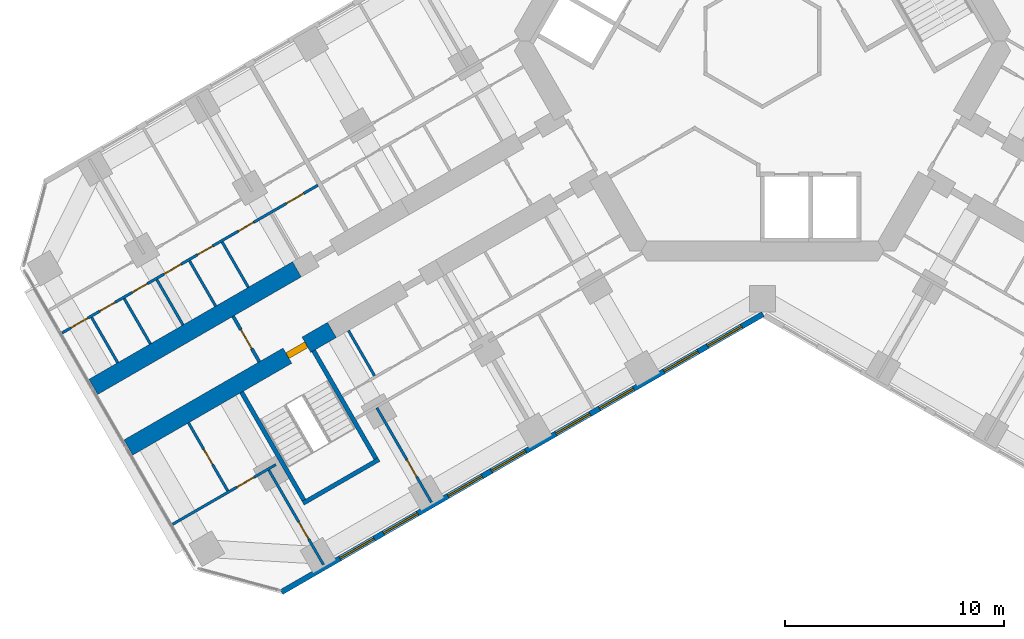
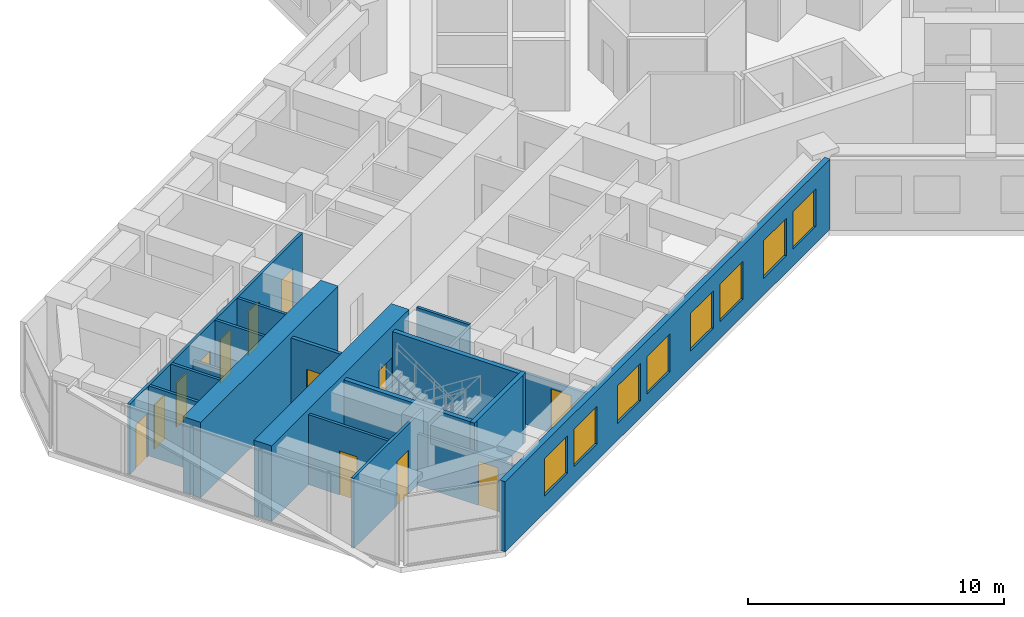
# One storey, part 10 of 20: 18 walls, 13 doors, 8 windows, 21 openings.
"""IFC4 building model written with IfcOpenShell, lengths in metres."""

import ifcopenshell
import ifcopenshell.guid

model = None  # the IFC model being written
_history = None  # IfcOwnerHistory: only IFC2X3 demands one
_inside = {}  # id of a spatial element -> (the spatial element, [elements in it])
_under = {}  # id of a project, library or spatial element -> (it, [spatial elements below it])
_declared = {}  # id of a project -> (the project, [libraries it declares])
_typed = {}  # id of a type object -> (the type object, [elements of that type])
_made_of = {}  # id of a material, layer set ... -> (it, [elements and type objects made of it])


def new_model(schema):
    """Start an empty IFC model of exactly this schema.

    Asked for "IFC4X3", IfcOpenShell would pick the latest addendum, in which some entities
    have other attributes; the version numbers below select the first issue.
    IFC2X3 requires an IfcOwnerHistory on every rooted entity: one is made here for all.
    """
    global model, _history
    if schema == "IFC4X3":
        model = ifcopenshell.file(schema_version=(4, 3, 0, 0))
    else:
        model = ifcopenshell.file(schema=schema)
    _inside.clear()
    _under.clear()
    _declared.clear()
    _typed.clear()
    _made_of.clear()
    _history = None
    if model.schema == "IFC2X3":
        org = make("IfcOrganization", Name="unknown")
        user = make(
            "IfcPersonAndOrganization",
            ThePerson=make("IfcPerson", FamilyName="unknown"),
            TheOrganization=org,
        )
        app = make(
            "IfcApplication",
            ApplicationDeveloper=org,
            Version="unknown",
            ApplicationFullName="unknown",
            ApplicationIdentifier="unknown",
        )
        _history = make(
            "IfcOwnerHistory",
            OwningUser=user,
            OwningApplication=app,
            ChangeAction="ADDED",
            CreationDate=0,
        )
    return model


def make(cls, **values):
    """One entity of the class cls with the attributes given. An attribute that is None is left unset."""
    return model.create_entity(
        cls, **{name: value for name, value in values.items() if value is not None}
    )


def rooted(cls, **values):
    """An entity with a GlobalId (a new one), such as an element, a storey or a relation."""
    return make(cls, GlobalId=ifcopenshell.guid.new(), OwnerHistory=_history, **values)


def si_unit(unit_type, name, prefix=None):
    """IfcSIUnit, for example si_unit("LENGTHUNIT", "METRE", prefix="MILLI")."""
    return make("IfcSIUnit", UnitType=unit_type, Prefix=prefix, Name=name)


def assignment(units):
    """IfcUnitAssignment: the units of a project."""
    return None if units is None else make("IfcUnitAssignment", Units=units)


def point(xyz):
    """IfcCartesianPoint."""
    return None if xyz is None else make("IfcCartesianPoint", Coordinates=xyz)


def direction(xyz):
    """IfcDirection."""
    return None if xyz is None else make("IfcDirection", DirectionRatios=xyz)


def frame(location, z_axis=None, x_axis=None):
    """IfcAxis2Placement3D, a coordinate frame: its origin and axes. An axis left out is left unset."""
    return make(
        "IfcAxis2Placement3D",
        Location=point(location),
        Axis=direction(z_axis),
        RefDirection=direction(x_axis),
    )


def frame_2d(location, x_axis=None):
    """IfcAxis2Placement2D, a coordinate frame in the plane: its origin and x axis."""
    return make(
        "IfcAxis2Placement2D", Location=point(location), RefDirection=direction(x_axis)
    )


def origin():
    """The frame at (0, 0, 0) with its axes left unset."""
    return frame((0.0, 0.0, 0.0))


def place(relative_to, where):
    """IfcLocalPlacement: puts the frame where relative to a parent placement (None: the world)."""
    return make(
        "IfcLocalPlacement", PlacementRelTo=relative_to, RelativePlacement=where
    )


def context(
    kind, dimensions, precision=None, world=None, true_north=None, identifier=None
):
    """IfcGeometricRepresentationContext, for example the 3D "Model" context."""
    return make(
        "IfcGeometricRepresentationContext",
        ContextIdentifier=identifier,
        ContextType=kind,
        CoordinateSpaceDimension=dimensions,
        Precision=precision,
        WorldCoordinateSystem=world,
        TrueNorth=true_north,
    )


def subcontext(parent, identifier, kind, view, scale=None):
    """IfcGeometricRepresentationSubContext, for example "Body" below "Model"."""
    return make(
        "IfcGeometricRepresentationSubContext",
        ContextIdentifier=identifier,
        ContextType=kind,
        ParentContext=parent,
        TargetScale=scale,
        TargetView=view,
    )


def project(units=None, contexts=None):
    """IfcProject with its units and contexts."""
    return rooted(
        "IfcProject",
        Name="project",
        RepresentationContexts=contexts,
        UnitsInContext=assignment(units),
    )


def spatial(cls, under=None, at=None, **own):
    """A site, building, storey or space (cls), placed at a placement, below another one or the project."""
    s = rooted(cls, ObjectPlacement=at, **own)
    if under is not None:
        _under.setdefault(under.id(), (under, []))[1].append(s)
    return s


def profile(cls, at=None, kind="AREA", **sizes):
    """A parametric profile (cls). Its sizes go by their IFC names, for example OverallWidth=200.0."""
    return make(cls, ProfileType=kind, Position=at, **sizes)


def rectangle(**sizes):
    """IfcRectangleProfileDef."""
    return profile("IfcRectangleProfileDef", **sizes)


def extrude(swept, where, along, depth):
    """IfcExtrudedAreaSolid: the profile swept, set in the frame where, extruded along a direction by depth."""
    return make(
        "IfcExtrudedAreaSolid",
        SweptArea=swept,
        Position=where,
        ExtrudedDirection=direction(along),
        Depth=depth,
    )


def shape(context_of_items, identifier, shape_type, items):
    """IfcShapeRepresentation: the items that make up one representation, for example the "Body"."""
    return make(
        "IfcShapeRepresentation",
        ContextOfItems=context_of_items,
        RepresentationIdentifier=identifier,
        RepresentationType=shape_type,
        Items=items,
    )


def material(Name=None, Category=None):
    """IfcMaterial."""
    return make("IfcMaterial", Name=Name, Category=Category)


def layer(
    of_material, thickness, ventilated=None, Name=None, Category=None, Priority=None
):
    """IfcMaterialLayer: one layer of a wall or slab, of a material (None: an air gap)."""
    return make(
        "IfcMaterialLayer",
        Material=of_material,
        LayerThickness=thickness,
        IsVentilated=ventilated,
        Name=Name,
        Category=Category,
        Priority=Priority,
    )


def layer_set(layers, Name=None):
    """IfcMaterialLayerSet."""
    return make("IfcMaterialLayerSet", MaterialLayers=layers, LayerSetName=Name)


def made_of(thing, what):
    """Note that an element or type object is made of a material, layer set ...; save() writes the relation."""
    if what is not None:
        _made_of.setdefault(what.id(), (what, []))[1].append(thing)
    return thing


def type_object(cls, material=None, **own):
    """A type object (cls), such as IfcWallType, which elements share."""
    return made_of(rooted(cls, **own), material)


def element(
    cls,
    number,
    at=None,
    inside=None,
    cuts=None,
    type_object=None,
    material=None,
    context=None,
    identifier="Body",
    shape_type=None,
    held_by="IfcProductDefinitionShape",
    body=None,
    shapes=None,
    **own,
):
    """One element of the class cls, such as IfcWall. Its Tag is "e" and its number.

    at: its placement. inside: the storey or other place that contains it. cuts: it is an
    opening in that element (IfcRelVoidsElement). A single representation is given by context,
    identifier, shape_type and body (its items); several are given by shapes. held_by: the class
    of the entity that holds the representations. save() writes the other relations.
    """
    e = rooted(cls, Tag="e%d" % number, ObjectPlacement=at, **own)
    if body is not None:
        shapes = [shape(context, identifier, shape_type, body)]
    if shapes is not None:
        e.Representation = make(held_by, Representations=shapes)
    if inside is not None:
        _inside.setdefault(inside.id(), (inside, []))[1].append(e)
    if cuts is not None:
        rooted(
            "IfcRelVoidsElement", RelatingBuildingElement=cuts, RelatedOpeningElement=e
        )
    if type_object is not None:
        _typed.setdefault(type_object.id(), (type_object, []))[1].append(e)
    return made_of(e, material)


def fill(opening, filler):
    """IfcRelFillsElement: the door or window that sits in an opening."""
    return rooted(
        "IfcRelFillsElement",
        RelatingOpeningElement=opening,
        RelatedBuildingElement=filler,
    )


def aggregate(whole, parts):
    """IfcRelAggregates: a whole, such as a stair, and the parts it consists of."""
    return rooted("IfcRelAggregates", RelatingObject=whole, RelatedObjects=parts)


def save(model, path):
    """Write the relations noted so far, then the file.

    IfcRelAggregates (storeys below a building ...), IfcRelContainedInSpatialStructure (elements
    in a storey), IfcRelDefinesByType, IfcRelAssociatesMaterial and IfcRelDeclares: one each for
    every whole, place, type object, material and project.
    """
    for whole, parts in _under.values():
        aggregate(whole, parts)
    for where, things in _inside.values():
        rooted(
            "IfcRelContainedInSpatialStructure",
            RelatedElements=things,
            RelatingStructure=where,
        )
    for kind, things in _typed.values():
        rooted("IfcRelDefinesByType", RelatedObjects=things, RelatingType=kind)
    for what, things in _made_of.values():
        rooted("IfcRelAssociatesMaterial", RelatedObjects=things, RelatingMaterial=what)
    for by, libraries in _declared.values():
        rooted("IfcRelDeclares", RelatingContext=by, RelatedDefinitions=libraries)
    model.write(path)


model = new_model("IFC4")

# Units and contexts
model_context = context("Model", 3, precision=1e-05, world=origin(), true_north=direction((0.0, 1.0)))
body_context = subcontext(model_context, "Body", "Model", "MODEL_VIEW")
ifc_project = project(units=[si_unit("LENGTHUNIT", "METRE"), si_unit("AREAUNIT", "SQUARE_METRE"), si_unit("VOLUMEUNIT", "CUBIC_METRE"), si_unit("PLANEANGLEUNIT", "RADIAN"), si_unit("MASSUNIT", "GRAM", prefix="KILO")], contexts=[model_context])

# Site, building, storey
site_placement = place(None, origin())
site = spatial("IfcSite", under=ifc_project, at=site_placement, CompositionType="ELEMENT")
building_placement = place(site_placement, origin())
building = spatial("IfcBuilding", under=site, at=building_placement, Name="Kosmar Iwan School Tower", CompositionType="ELEMENT")
storey_placement = place(building_placement, frame((0.0, 0.0, 127.39990234375)))
storey = spatial("IfcBuildingStorey", under=building, at=storey_placement, Name="L31", CompositionType="ELEMENT", Elevation=127.39990234375)

# Wall, opening, door
ifc_material_1 = material(Name="Concrete C50/60", Category="concrete")
ifc_layer_1 = layer(ifc_material_1, 0.800048828125)
ifc_layer_set_1 = layer_set([ifc_layer_1], Name="Corridor buttress wall 800")
wall_type_1 = type_object("IfcWallType", Name="Corridor buttress wall 800", PredefinedType="SHEAR", material=ifc_layer_set_1)
wall_1_placement = place(storey_placement, frame((-19.681396484375, -13.210693359375, 0.0), z_axis=(0.0, 0.0, 1.0), x_axis=(-0.866028186671, -0.499995179869, 0.0)))
wall_1 = element("IfcWall", 1, at=wall_1_placement, inside=storey, type_object=wall_type_1, Name="Corridor wall BL bay 3", PredefinedType="SHEAR", context=body_context, shape_type="SweptSolid", body=[
    extrude(rectangle(XDim=10.7451171875, YDim=0.800048828125, at=frame_2d((5.37255859375, 0.0))), origin(), (0.0, 0.0, 1.0), 3.60009765625),
])
opening_1_placement = place(wall_1_placement, frame((1.35009765625, 0.0, 0.0)))
opening_1 = element("IfcOpeningElement", 2, at=opening_1_placement, cuts=wall_1, Name="Opening D6", PredefinedType="OPENING", context=body_context, shape_type="SweptSolid", body=[
    extrude(rectangle(XDim=1.0, YDim=2.10009765625, at=frame_2d((0.5, 1.050048828125))), frame((0.0, 0.412109375, 0.0), z_axis=(0.0, -1.0, 0.0), x_axis=(1.0, 0.0, 0.0)), (0.0, 0.0, 1.0), 0.823974609375),
])
ifc_material_2 = material(Name="Steel fire door", Category="steel")
door_type_1 = type_object("IfcDoorType", Name="Stair door 1000x2100", OperationType="SINGLE_SWING_LEFT", PredefinedType="DOOR", material=ifc_material_2)
door_1_placement = place(opening_1_placement, origin())
door_1 = element("IfcDoor", 3, at=door_1_placement, inside=storey, type_object=door_type_1, Name="Stair WS2 door L31", OperationType="SINGLE_SWING_LEFT", OverallHeight=2.10009765625, OverallWidth=1.0, PredefinedType="DOOR", context=body_context, shape_type="SweptSolid", body=[
    extrude(rectangle(XDim=1.0, YDim=2.10009765625, at=frame_2d((0.5, 1.050048828125))), frame((0.0, 0.14990234375, 0.0), z_axis=(0.0, -1.0, 0.0), x_axis=(1.0, 0.0, 0.0)), (0.0, 0.0, 1.0), 0.300048828125),
])
fill(opening_1, door_1)

# Wall
wall_2_placement = place(storey_placement, frame((-21.281494140625, -10.439453125, 0.0), z_axis=(0.0, 0.0, 1.0), x_axis=(-0.866032345022, -0.499987977232, 0.0)))
element("IfcWall", 4, at=wall_2_placement, inside=storey, type_object=wall_type_1, Name="Corridor wall BR bay 3", PredefinedType="SHEAR", context=body_context, shape_type="SweptSolid", body=[
    extrude(rectangle(XDim=10.744873046875, YDim=0.800048828125, at=frame_2d((5.37255859375, 0.0))), origin(), (0.0, 0.0, 1.0), 3.60009765625),
])

# Wall, opening, door
ifc_material_3 = material(Name="Gypsum board on steel studs, fire-rated", Category="steel")
ifc_layer_2 = layer(ifc_material_3, 0.14990234375)
ifc_layer_set_2 = layer_set([ifc_layer_2], Name="Corridor end wall 150")
wall_type_2 = type_object("IfcWallType", Name="Corridor end wall 150", PredefinedType="PARTITIONING", material=ifc_layer_set_2)
wall_3_placement = place(storey_placement, frame((-24.19921875, -12.585693359375, 0.0), z_axis=(0.0, 0.0, 1.0), x_axis=(0.499957262057, -0.866050077142, 0.0)))
wall_3 = element("IfcWall", 5, at=wall_3_placement, inside=storey, type_object=wall_type_2, Name="Partition L31-B-CE", PredefinedType="PARTITIONING", context=body_context, shape_type="SweptSolid", body=[
    extrude(rectangle(XDim=2.400146484375, YDim=0.14990234375, at=frame_2d((1.2001953125, 0.0))), origin(), (0.0, 0.0, 1.0), 3.35009765625),
])
opening_2_placement = place(wall_3_placement, frame((0.699951171875, 0.0, 0.0)))
opening_2 = element("IfcOpeningElement", 6, at=opening_2_placement, cuts=wall_3, Name="Opening D13", PredefinedType="OPENING", context=body_context, shape_type="SweptSolid", body=[
    extrude(rectangle(XDim=1.0, YDim=2.10009765625, at=frame_2d((0.5, 1.050048828125))), frame((0.0, 0.0869140625, 0.0), z_axis=(0.0, -1.0, 0.0), x_axis=(1.0, 0.0, 0.0)), (0.0, 0.0, 1.0), 0.173828125),
])
ifc_material_4 = material(Name="Timber fire door with vision panel", Category="wood")
door_type_2 = type_object("IfcDoorType", Name="Corridor end door 1000x2100", OperationType="SINGLE_SWING_LEFT", PredefinedType="DOOR", material=ifc_material_4)
door_2_placement = place(opening_2_placement, origin())
door_2 = element("IfcDoor", 7, at=door_2_placement, inside=storey, type_object=door_type_2, Name="Laundry and drying room door L31-B", OperationType="SINGLE_SWING_LEFT", OverallHeight=2.10009765625, OverallWidth=1.0, PredefinedType="DOOR", context=body_context, shape_type="SweptSolid", body=[
    extrude(rectangle(XDim=1.0, YDim=2.10009765625, at=frame_2d((0.5, 1.050048828125))), frame((0.0, 0.02490234375, 0.0), z_axis=(0.0, -1.0, 0.0), x_axis=(1.0, 0.0, 0.0)), (0.0, 0.0, 1.0), 0.050048828125),
])
fill(opening_2, door_2)

# Wall
ifc_material_5 = material(Name="Gypsum board on steel studs", Category="steel")
ifc_layer_3 = layer(ifc_material_5, 0.1201171875)
ifc_layer_set_3 = layer_set([ifc_layer_3], Name="Dwelling partition 120")
wall_type_3 = type_object("IfcWallType", Name="Dwelling partition 120", PredefinedType="PARTITIONING", material=ifc_layer_set_3)
wall_4_placement = place(storey_placement, frame((-18.92724609375, -13.237060546875, 0.0), z_axis=(0.0, 0.0, 1.0), x_axis=(0.500017192868, -0.86601547725, 0.0)))
element("IfcWall", 8, at=wall_4_placement, inside=storey, type_object=wall_type_3, Name="Partition L31-BL2-Y2", PredefinedType="PARTITIONING", context=body_context, shape_type="SweptSolid", body=[
    extrude(rectangle(XDim=2.39013671875, YDim=0.1201171875, at=frame_2d((1.195068359375, 0.0))), origin(), (0.0, 0.0, 1.0), 3.35009765625),
])

# Wall, opening, door
wall_5_placement = place(storey_placement, frame((-17.62646484375, -16.77001953125, 0.0), z_axis=(0.0, 0.0, 1.0), x_axis=(0.499975153383, -0.86603974851, 0.0)))
wall_5 = element("IfcWall", 9, at=wall_5_placement, inside=storey, type_object=wall_type_3, Name="Partition L31-BL2-TB", PredefinedType="PARTITIONING", context=body_context, shape_type="SweptSolid", body=[
    extrude(rectangle(XDim=4.989990234375, YDim=0.1201171875, at=frame_2d((2.4951171875, 0.0))), origin(), (0.0, 0.0, 1.0), 2.4501953125),
])
opening_3_placement = place(wall_5_placement, frame((2.739990234375, 0.0, 0.0)))
opening_3 = element("IfcOpeningElement", 10, at=opening_3_placement, cuts=wall_5, Name="Opening D2", PredefinedType="OPENING", context=body_context, shape_type="SweptSolid", body=[
    extrude(rectangle(XDim=0.89990234375, YDim=2.10009765625, at=frame_2d((0.449951171875, 1.050048828125))), frame((0.0, 0.072021484375, 0.0), z_axis=(0.0, -1.0, 0.0), x_axis=(1.0, 0.0, 0.0)), (0.0, 0.0, 1.0), 0.14404296875),
])
ifc_material_6 = material(Name="Timber door in timber frame", Category="wood")
door_type_3 = type_object("IfcDoorType", Name="Internal door 900x2100", OperationType="SINGLE_SWING_LEFT", PredefinedType="DOOR", material=ifc_material_6)
door_3_placement = place(opening_3_placement, origin())
door_3 = element("IfcDoor", 11, at=door_3_placement, inside=storey, type_object=door_type_3, Name="Study door L31-BL2-F1", OperationType="SINGLE_SWING_RIGHT", OverallHeight=2.10009765625, OverallWidth=0.89990234375, PredefinedType="DOOR", context=body_context, shape_type="SweptSolid", body=[
    extrude(rectangle(XDim=0.89990234375, YDim=2.10009765625, at=frame_2d((0.449951171875, 1.050048828125))), frame((0.0, 0.02490234375, 0.0), z_axis=(0.0, -1.0, 0.0), x_axis=(1.0, 0.0, 0.0)), (0.0, 0.0, 1.0), 0.050048828125),
])
fill(opening_3, door_3)

wall_6_placement = place(storey_placement, frame((-22.562744140625, -19.6201171875, 0.0), z_axis=(0.0, 0.0, 1.0), x_axis=(0.499996339024, -0.86602751744, 0.0)))
wall_6 = element("IfcWall", 12, at=wall_6_placement, inside=storey, type_object=wall_type_3, Name="Partition L31-BL2-TX", PredefinedType="PARTITIONING", context=body_context, shape_type="SweptSolid", body=[
    extrude(rectangle(XDim=4.98974609375, YDim=0.1201171875, at=frame_2d((2.494873046875, 0.0))), origin(), (0.0, 0.0, 1.0), 2.4501953125),
])
opening_4_placement = place(wall_6_placement, frame((2.739990234375, 0.0, 0.0)))
opening_4 = element("IfcOpeningElement", 13, at=opening_4_placement, cuts=wall_6, Name="Opening D2", PredefinedType="OPENING", context=body_context, shape_type="SweptSolid", body=[
    extrude(rectangle(XDim=0.89990234375, YDim=2.10009765625, at=frame_2d((0.449951171875, 1.050048828125))), frame((0.0, 0.072021484375, 0.0), z_axis=(0.0, -1.0, 0.0), x_axis=(1.0, 0.0, 0.0)), (0.0, 0.0, 1.0), 0.14404296875),
])
door_4_placement = place(opening_4_placement, origin())
door_4 = element("IfcDoor", 14, at=door_4_placement, inside=storey, type_object=door_type_3, Name="Study door L31-BL2-T1", OperationType="SINGLE_SWING_RIGHT", OverallHeight=2.10009765625, OverallWidth=0.89990234375, PredefinedType="DOOR", context=body_context, shape_type="SweptSolid", body=[
    extrude(rectangle(XDim=0.89990234375, YDim=2.10009765625, at=frame_2d((0.449951171875, 1.050048828125))), frame((0.0, 0.02490234375, 0.0), z_axis=(0.0, -1.0, 0.0), x_axis=(1.0, 0.0, 0.0)), (0.0, 0.0, 1.0), 0.050048828125),
])
fill(opening_4, door_4)

wall_7_placement = place(storey_placement, frame((-22.246337890625, -19.3681640625, 0.0), z_axis=(0.0, 0.0, 1.0), x_axis=(-0.866035508231, -0.499982498177, 0.0)))
wall_7 = element("IfcWall", 15, at=wall_7_placement, inside=storey, type_object=wall_type_3, Name="Partition L31-BL2-TW", PredefinedType="PARTITIONING", context=body_context, shape_type="SweptSolid", body=[
    extrude(rectangle(XDim=5.445068359375, YDim=0.1201171875, at=frame_2d((2.72265625, 0.0))), origin(), (0.0, 0.0, 1.0), 3.35009765625),
])
opening_5_placement = place(wall_7_placement, frame((1.14990234375, 0.0, 0.0)))
opening_5 = element("IfcOpeningElement", 16, at=opening_5_placement, cuts=wall_7, Name="Opening D2", PredefinedType="OPENING", context=body_context, shape_type="SweptSolid", body=[
    extrude(rectangle(XDim=0.89990234375, YDim=2.10009765625, at=frame_2d((0.449951171875, 1.050048828125))), frame((0.0, 0.072021484375, 0.0), z_axis=(0.0, -1.0, 0.0), x_axis=(1.0, 0.0, 0.0)), (0.0, 0.0, 1.0), 0.14404296875),
])
door_5_placement = place(opening_5_placement, origin())
door_5 = element("IfcDoor", 17, at=door_5_placement, inside=storey, type_object=door_type_3, Name="Dressing room door L31-BL2-T3", OperationType="SINGLE_SWING_LEFT", OverallHeight=2.10009765625, OverallWidth=0.89990234375, PredefinedType="DOOR", context=body_context, shape_type="SweptSolid", body=[
    extrude(rectangle(XDim=0.89990234375, YDim=2.10009765625, at=frame_2d((0.449951171875, 1.050048828125))), frame((0.0, 0.02490234375, 0.0), z_axis=(0.0, -1.0, 0.0), x_axis=(1.0, 0.0, 0.0)), (0.0, 0.0, 1.0), 0.050048828125),
])
fill(opening_5, door_5)

wall_8_placement = place(storey_placement, frame((-26.236572265625, -17.45703125, 0.0), z_axis=(0.0, 0.0, 1.0), x_axis=(0.50002266109, -0.866012320003, 0.0)))
wall_8 = element("IfcWall", 18, at=wall_8_placement, inside=storey, type_object=wall_type_3, Name="Partition L31-BL2-TY", PredefinedType="PARTITIONING", context=body_context, shape_type="SweptSolid", body=[
    extrude(rectangle(XDim=3.590087890625, YDim=0.1201171875, at=frame_2d((1.794921875, 0.0))), origin(), (0.0, 0.0, 1.0), 3.35009765625),
])
opening_6_placement = place(wall_8_placement, frame((1.39501953125, 0.0, 0.0)))
opening_6 = element("IfcOpeningElement", 19, at=opening_6_placement, cuts=wall_8, Name="Opening D3", PredefinedType="OPENING", context=body_context, shape_type="SweptSolid", body=[
    extrude(rectangle(XDim=0.800048828125, YDim=2.10009765625, at=frame_2d((0.39990234375, 1.050048828125))), frame((0.0, 0.072021484375, 0.0), z_axis=(0.0, -1.0, 0.0), x_axis=(1.0, 0.0, 0.0)), (0.0, 0.0, 1.0), 0.14404296875),
])
ifc_material_7 = material(Name="Timber door in timber frame", Category="wood")
door_type_4 = type_object("IfcDoorType", Name="Sanitary room door 800x2100", OperationType="SINGLE_SWING_LEFT", PredefinedType="DOOR", material=ifc_material_7)
door_6_placement = place(opening_6_placement, origin())
door_6 = element("IfcDoor", 20, at=door_6_placement, inside=storey, type_object=door_type_4, Name="Shower room door L31-BL2-T4", OperationType="SINGLE_SWING_RIGHT", OverallHeight=2.10009765625, OverallWidth=0.800048828125, PredefinedType="DOOR", context=body_context, shape_type="SweptSolid", body=[
    extrude(rectangle(XDim=0.800048828125, YDim=2.10009765625, at=frame_2d((0.39990234375, 1.050048828125))), frame((0.0, 0.02490234375, 0.0), z_axis=(0.0, -1.0, 0.0), x_axis=(1.0, 0.0, 0.0)), (0.0, 0.0, 1.0), 0.050048828125),
])
fill(opening_6, door_6)

# Wall, openings, doors
wall_9_placement = place(storey_placement, frame((-20.324951171875, -6.59619140625, 0.0), z_axis=(0.0, 0.0, 1.0), x_axis=(-0.866023503214, -0.50000329187, 0.0)))
wall_9 = element("IfcWall", 21, at=wall_9_placement, inside=storey, type_object=wall_type_3, Name="Partition L31-BR2-W1", PredefinedType="PARTITIONING", context=body_context, shape_type="SweptSolid", body=[
    extrude(rectangle(XDim=13.4951171875, YDim=0.1201171875, at=frame_2d((6.74755859375, 0.0))), origin(), (0.0, 0.0, 1.0), 3.35009765625),
])
opening_7_placement = place(wall_9_placement, frame((0.75, 0.0, 0.0)))
opening_7 = element("IfcOpeningElement", 22, at=opening_7_placement, cuts=wall_9, Name="Opening D2", PredefinedType="OPENING", context=body_context, shape_type="SweptSolid", body=[
    extrude(rectangle(XDim=0.89990234375, YDim=2.10009765625, at=frame_2d((0.449951171875, 1.050048828125))), frame((0.0, 0.072021484375, 0.0), z_axis=(0.0, -1.0, 0.0), x_axis=(1.0, 0.0, 0.0)), (0.0, 0.0, 1.0), 0.14404296875),
])
opening_8_placement = place(wall_9_placement, frame((3.392333984375, 0.0, 0.0)))
opening_8 = element("IfcOpeningElement", 23, at=opening_8_placement, cuts=wall_9, Name="Opening D3", PredefinedType="OPENING", context=body_context, shape_type="SweptSolid", body=[
    extrude(rectangle(XDim=0.800048828125, YDim=2.10009765625, at=frame_2d((0.39990234375, 1.050048828125))), frame((0.0, 0.072021484375, 0.0), z_axis=(0.0, -1.0, 0.0), x_axis=(1.0, 0.0, 0.0)), (0.0, 0.0, 1.0), 0.14404296875),
])
opening_9_placement = place(wall_9_placement, frame((5.546142578125, 0.0, 0.0)))
opening_9 = element("IfcOpeningElement", 24, at=opening_9_placement, cuts=wall_9, Name="Opening D3", PredefinedType="OPENING", context=body_context, shape_type="SweptSolid", body=[
    extrude(rectangle(XDim=0.800048828125, YDim=2.10009765625, at=frame_2d((0.39990234375, 1.050048828125))), frame((0.0, 0.072021484375, 0.0), z_axis=(0.0, -1.0, 0.0), x_axis=(1.0, 0.0, 0.0)), (0.0, 0.0, 1.0), 0.14404296875),
])
opening_10_placement = place(wall_9_placement, frame((7.21923828125, 0.0, 0.0)))
opening_10 = element("IfcOpeningElement", 25, at=opening_10_placement, cuts=wall_9, Name="Opening D2", PredefinedType="OPENING", context=body_context, shape_type="SweptSolid", body=[
    extrude(rectangle(XDim=0.89990234375, YDim=2.10009765625, at=frame_2d((0.449951171875, 1.050048828125))), frame((0.0, 0.072021484375, 0.0), z_axis=(0.0, -1.0, 0.0), x_axis=(1.0, 0.0, 0.0)), (0.0, 0.0, 1.0), 0.14404296875),
])
opening_11_placement = place(wall_9_placement, frame((8.992431640625, 0.0, 0.0)))
opening_11 = element("IfcOpeningElement", 26, at=opening_11_placement, cuts=wall_9, Name="Opening D3", PredefinedType="OPENING", context=body_context, shape_type="SweptSolid", body=[
    extrude(rectangle(XDim=0.800048828125, YDim=2.10009765625, at=frame_2d((0.39990234375, 1.050048828125))), frame((0.0, 0.072021484375, 0.0), z_axis=(0.0, -1.0, 0.0), x_axis=(1.0, 0.0, 0.0)), (0.0, 0.0, 1.0), 0.14404296875),
])
opening_12_placement = place(wall_9_placement, frame((10.71533203125, 0.0, 0.0)))
opening_12 = element("IfcOpeningElement", 27, at=opening_12_placement, cuts=wall_9, Name="Opening D3", PredefinedType="OPENING", context=body_context, shape_type="SweptSolid", body=[
    extrude(rectangle(XDim=0.800048828125, YDim=2.10009765625, at=frame_2d((0.39990234375, 1.050048828125))), frame((0.0, 0.072021484375, 0.0), z_axis=(0.0, -1.0, 0.0), x_axis=(1.0, 0.0, 0.0)), (0.0, 0.0, 1.0), 0.14404296875),
])
opening_13_placement = place(wall_9_placement, frame((12.136962890625, 0.0, 0.0)))
opening_13 = element("IfcOpeningElement", 28, at=opening_13_placement, cuts=wall_9, Name="Opening D2", PredefinedType="OPENING", context=body_context, shape_type="SweptSolid", body=[
    extrude(rectangle(XDim=0.89990234375, YDim=2.10009765625, at=frame_2d((0.449951171875, 1.050048828125))), frame((0.0, 0.072021484375, 0.0), z_axis=(0.0, -1.0, 0.0), x_axis=(1.0, 0.0, 0.0)), (0.0, 0.0, 1.0), 0.14404296875),
])
door_7_placement = place(opening_7_placement, origin())
door_7 = element("IfcDoor", 29, at=door_7_placement, inside=storey, type_object=door_type_3, Name="Entrance hall door L31-BR2-S1", OperationType="SINGLE_SWING_LEFT", OverallHeight=2.10009765625, OverallWidth=0.89990234375, PredefinedType="DOOR", context=body_context, shape_type="SweptSolid", body=[
    extrude(rectangle(XDim=0.89990234375, YDim=2.10009765625, at=frame_2d((0.449951171875, 1.050048828125))), frame((0.0, 0.02490234375, 0.0), z_axis=(0.0, -1.0, 0.0), x_axis=(1.0, 0.0, 0.0)), (0.0, 0.0, 1.0), 0.050048828125),
])
fill(opening_7, door_7)
door_8_placement = place(opening_10_placement, origin())
door_8 = element("IfcDoor", 30, at=door_8_placement, inside=storey, type_object=door_type_3, Name="Pantry door L31-BR2-S4", OperationType="SINGLE_SWING_RIGHT", OverallHeight=2.10009765625, OverallWidth=0.89990234375, PredefinedType="DOOR", context=body_context, shape_type="SweptSolid", body=[
    extrude(rectangle(XDim=0.89990234375, YDim=2.10009765625, at=frame_2d((0.449951171875, 1.050048828125))), frame((0.0, 0.02490234375, 0.0), z_axis=(0.0, -1.0, 0.0), x_axis=(1.0, 0.0, 0.0)), (0.0, 0.0, 1.0), 0.050048828125),
])
fill(opening_10, door_8)
door_9_placement = place(opening_13_placement, origin())
door_9 = element("IfcDoor", 31, at=door_9_placement, inside=storey, type_object=door_type_3, Name="Utility room door L31-BR2-S7", OperationType="SINGLE_SWING_LEFT", OverallHeight=2.10009765625, OverallWidth=0.89990234375, PredefinedType="DOOR", context=body_context, shape_type="SweptSolid", body=[
    extrude(rectangle(XDim=0.89990234375, YDim=2.10009765625, at=frame_2d((0.449951171875, 1.050048828125))), frame((0.0, 0.02490234375, 0.0), z_axis=(0.0, -1.0, 0.0), x_axis=(1.0, 0.0, 0.0)), (0.0, 0.0, 1.0), 0.050048828125),
])
fill(opening_13, door_9)
door_10_placement = place(opening_8_placement, origin())
door_10 = element("IfcDoor", 32, at=door_10_placement, inside=storey, type_object=door_type_4, Name="Bathroom door L31-BR2-S2", OperationType="SINGLE_SWING_RIGHT", OverallHeight=2.10009765625, OverallWidth=0.800048828125, PredefinedType="DOOR", context=body_context, shape_type="SweptSolid", body=[
    extrude(rectangle(XDim=0.800048828125, YDim=2.10009765625, at=frame_2d((0.39990234375, 1.050048828125))), frame((0.0, 0.02490234375, 0.0), z_axis=(0.0, -1.0, 0.0), x_axis=(1.0, 0.0, 0.0)), (0.0, 0.0, 1.0), 0.050048828125),
])
fill(opening_8, door_10)
door_11_placement = place(opening_9_placement, origin())
door_11 = element("IfcDoor", 33, at=door_11_placement, inside=storey, type_object=door_type_4, Name="Shower room door L31-BR2-S3", OperationType="SINGLE_SWING_LEFT", OverallHeight=2.10009765625, OverallWidth=0.800048828125, PredefinedType="DOOR", context=body_context, shape_type="SweptSolid", body=[
    extrude(rectangle(XDim=0.800048828125, YDim=2.10009765625, at=frame_2d((0.39990234375, 1.050048828125))), frame((0.0, 0.02490234375, 0.0), z_axis=(0.0, -1.0, 0.0), x_axis=(1.0, 0.0, 0.0)), (0.0, 0.0, 1.0), 0.050048828125),
])
fill(opening_9, door_11)
door_12_placement = place(opening_11_placement, origin())
door_12 = element("IfcDoor", 34, at=door_12_placement, inside=storey, type_object=door_type_4, Name="WC door L31-BR2-S5", OperationType="SINGLE_SWING_LEFT", OverallHeight=2.10009765625, OverallWidth=0.800048828125, PredefinedType="DOOR", context=body_context, shape_type="SweptSolid", body=[
    extrude(rectangle(XDim=0.800048828125, YDim=2.10009765625, at=frame_2d((0.39990234375, 1.050048828125))), frame((0.0, 0.02490234375, 0.0), z_axis=(0.0, -1.0, 0.0), x_axis=(1.0, 0.0, 0.0)), (0.0, 0.0, 1.0), 0.050048828125),
])
fill(opening_11, door_12)
door_13_placement = place(opening_12_placement, origin())
door_13 = element("IfcDoor", 35, at=door_13_placement, inside=storey, type_object=door_type_4, Name="Store door L31-BR2-S6", OperationType="SINGLE_SWING_RIGHT", OverallHeight=2.10009765625, OverallWidth=0.800048828125, PredefinedType="DOOR", context=body_context, shape_type="SweptSolid", body=[
    extrude(rectangle(XDim=0.800048828125, YDim=2.10009765625, at=frame_2d((0.39990234375, 1.050048828125))), frame((0.0, 0.02490234375, 0.0), z_axis=(0.0, -1.0, 0.0), x_axis=(1.0, 0.0, 0.0)), (0.0, 0.0, 1.0), 0.050048828125),
])
fill(opening_12, door_13)

# Walls
wall_10_placement = place(storey_placement, frame((-23.50341796875, -11.26025390625, 0.0), z_axis=(0.0, 0.0, 1.0), x_axis=(-0.499940577336, 0.866059708757, 0.0)))
element("IfcWall", 36, at=wall_10_placement, inside=storey, type_object=wall_type_3, Name="Partition L31-BR2-Y2", PredefinedType="PARTITIONING", context=body_context, shape_type="SweptSolid", body=[
    extrude(rectangle(XDim=2.389892578125, YDim=0.1201171875, at=frame_2d((1.19482421875, 0.0))), origin(), (0.0, 0.0, 1.0), 3.35009765625),
])
wall_11_placement = place(storey_placement, frame((-24.99560546875, -12.121826171875, 0.0), z_axis=(0.0, 0.0, 1.0), x_axis=(-0.500017192868, 0.86601547725, 0.0)))
element("IfcWall", 37, at=wall_11_placement, inside=storey, type_object=wall_type_3, Name="Partition L31-BR2-Y3", PredefinedType="PARTITIONING", context=body_context, shape_type="SweptSolid", body=[
    extrude(rectangle(XDim=2.39013671875, YDim=0.1201171875, at=frame_2d((1.195068359375, 0.0))), origin(), (0.0, 0.0, 1.0), 3.35009765625),
])
wall_12_placement = place(storey_placement, frame((-26.48779296875, -12.9833984375, 0.0), z_axis=(0.0, 0.0, 1.0), x_axis=(-0.500017192868, 0.86601547725, 0.0)))
element("IfcWall", 38, at=wall_12_placement, inside=storey, type_object=wall_type_3, Name="Partition L31-BR2-Y4", PredefinedType="PARTITIONING", context=body_context, shape_type="SweptSolid", body=[
    extrude(rectangle(XDim=2.39013671875, YDim=0.1201171875, at=frame_2d((1.195068359375, 0.0))), origin(), (0.0, 0.0, 1.0), 2.4501953125),
])
wall_13_placement = place(storey_placement, frame((-27.97998046875, -13.844970703125, 0.0), z_axis=(0.0, 0.0, 1.0), x_axis=(-0.500017192868, 0.86601547725, 0.0)))
element("IfcWall", 39, at=wall_13_placement, inside=storey, type_object=wall_type_3, Name="Partition L31-BR2-Y5", PredefinedType="PARTITIONING", context=body_context, shape_type="SweptSolid", body=[
    extrude(rectangle(XDim=2.39013671875, YDim=0.1201171875, at=frame_2d((1.195068359375, 0.0))), origin(), (0.0, 0.0, 1.0), 3.35009765625),
])
wall_14_placement = place(storey_placement, frame((-29.47216796875, -14.706298828125, 0.0), z_axis=(0.0, 0.0, 1.0), x_axis=(-0.500061428766, 0.865989934965, 0.0)))
element("IfcWall", 40, at=wall_14_placement, inside=storey, type_object=wall_type_3, Name="Partition L31-BR2-Y6", PredefinedType="PARTITIONING", context=body_context, shape_type="SweptSolid", body=[
    extrude(rectangle(XDim=2.389892578125, YDim=0.1201171875, at=frame_2d((1.19482421875, 0.0))), origin(), (0.0, 0.0, 1.0), 3.35009765625),
])
ifc_material_8 = material(Name="Concrete C35/45", Category="concrete")
ifc_layer_4 = layer(ifc_material_8, 0.199951171875)
ifc_layer_set_4 = layer_set([ifc_layer_4], Name="Escape stair wall 200")
wall_type_4 = type_object("IfcWallType", Name="Escape stair wall 200", PredefinedType="SHEAR", material=ifc_layer_set_4)
wall_15_placement = place(storey_placement, frame((-20.520751953125, -14.156982421875, 0.0), z_axis=(0.0, 0.0, 1.0), x_axis=(0.499988710057, -0.866031921938, 0.0)))
element("IfcWall", 41, at=wall_15_placement, inside=storey, type_object=wall_type_4, Name="Stair WS2 wall", PredefinedType="SHEAR", context=body_context, shape_type="SweptSolid", body=[
    extrude(rectangle(XDim=5.900146484375, YDim=0.199951171875, at=frame_2d((2.9501953125, 0.0))), origin(), (0.0, 0.0, 1.0), 3.330078125),
])
wall_16_placement = place(storey_placement, frame((-23.8115234375, -16.05712890625, 0.0), z_axis=(0.0, 0.0, 1.0), x_axis=(0.500006628179, -0.86602157697, 0.0)))
element("IfcWall", 42, at=wall_16_placement, inside=storey, type_object=wall_type_4, Name="Stair WS2 wall", PredefinedType="SHEAR", context=body_context, shape_type="SweptSolid", body=[
    extrude(rectangle(XDim=5.89990234375, YDim=0.199951171875, at=frame_2d((2.949951171875, 0.0))), origin(), (0.0, 0.0, 1.0), 3.330078125),
])
wall_17_placement = place(storey_placement, frame((-17.5341796875, -19.1298828125, 0.0), z_axis=(0.0, 0.0, 1.0), x_axis=(-0.866026010844, -0.49999894854, 0.0)))
element("IfcWall", 43, at=wall_17_placement, inside=storey, type_object=wall_type_4, Name="Stair WS2 wall", PredefinedType="SHEAR", context=body_context, shape_type="SweptSolid", body=[
    extrude(rectangle(XDim=4.0, YDim=0.199951171875, at=frame_2d((2.0, 0.0))), origin(), (0.0, 0.0, 1.0), 3.330078125),
])

# Wall, openings, windows
ifc_material_9 = material(Name="Black aluminium rainscreen on insulated framing", Category="aluminium")
ifc_layer_5 = layer(ifc_material_9, 0.25)
ifc_layer_set_5 = layer_set([ifc_layer_5], Name="External wall rainscreen 250")
wall_type_5 = type_object("IfcWallType", Name="External wall rainscreen 250", PredefinedType="SOLIDWALL", material=ifc_layer_set_5)
wall_18_placement = place(storey_placement, frame((0.023193359375, -12.486083984375, 0.0), z_axis=(0.0, 0.0, 1.0), x_axis=(-0.86602400047, -0.500002430605, 0.0)))
wall_18 = element("IfcWall", 44, at=wall_18_placement, inside=storey, type_object=wall_type_5, Name="External wall BL L31", PredefinedType="SOLIDWALL", context=body_context, shape_type="SweptSolid", body=[
    extrude(rectangle(XDim=25.412353515625, YDim=0.25, at=frame_2d((12.7060546875, 0.0))), origin(), (0.0, 0.0, 1.0), 3.35009765625),
])
opening_14_placement = place(wall_18_placement, frame((1.126953125, 0.0, 0.800048828125)))
opening_14 = element("IfcOpeningElement", 45, at=opening_14_placement, cuts=wall_18, Name="Opening W1", PredefinedType="OPENING", context=body_context, shape_type="SweptSolid", body=[
    extrude(rectangle(XDim=1.800048828125, YDim=1.800048828125, at=frame_2d((0.89990234375, 0.89990234375))), frame((0.0, 0.136962890625, 0.0), z_axis=(0.0, -1.0, 0.0), x_axis=(1.0, 0.0, 0.0)), (0.0, 0.0, 1.0), 0.27392578125),
])
opening_15_placement = place(wall_18_placement, frame((3.427001953125, 0.0, 0.800048828125)))
opening_15 = element("IfcOpeningElement", 46, at=opening_15_placement, cuts=wall_18, Name="Opening W1", PredefinedType="OPENING", context=body_context, shape_type="SweptSolid", body=[
    extrude(rectangle(XDim=1.800048828125, YDim=1.800048828125, at=frame_2d((0.89990234375, 0.89990234375))), frame((0.0, 0.136962890625, 0.0), z_axis=(0.0, -1.0, 0.0), x_axis=(1.0, 0.0, 0.0)), (0.0, 0.0, 1.0), 0.27392578125),
])
opening_16_placement = place(wall_18_placement, frame((6.8271484375, 0.0, 0.800048828125)))
opening_16 = element("IfcOpeningElement", 47, at=opening_16_placement, cuts=wall_18, Name="Opening W1", PredefinedType="OPENING", context=body_context, shape_type="SweptSolid", body=[
    extrude(rectangle(XDim=1.800048828125, YDim=1.800048828125, at=frame_2d((0.89990234375, 0.89990234375))), frame((0.0, 0.136962890625, 0.0), z_axis=(0.0, -1.0, 0.0), x_axis=(1.0, 0.0, 0.0)), (0.0, 0.0, 1.0), 0.27392578125),
])
opening_17_placement = place(wall_18_placement, frame((9.126953125, 0.0, 0.800048828125)))
opening_17 = element("IfcOpeningElement", 48, at=opening_17_placement, cuts=wall_18, Name="Opening W1", PredefinedType="OPENING", context=body_context, shape_type="SweptSolid", body=[
    extrude(rectangle(XDim=1.800048828125, YDim=1.800048828125, at=frame_2d((0.89990234375, 0.89990234375))), frame((0.0, 0.136962890625, 0.0), z_axis=(0.0, -1.0, 0.0), x_axis=(1.0, 0.0, 0.0)), (0.0, 0.0, 1.0), 0.27392578125),
])
opening_18_placement = place(wall_18_placement, frame((12.527099609375, 0.0, 0.800048828125)))
opening_18 = element("IfcOpeningElement", 49, at=opening_18_placement, cuts=wall_18, Name="Opening W1", PredefinedType="OPENING", context=body_context, shape_type="SweptSolid", body=[
    extrude(rectangle(XDim=1.800048828125, YDim=1.800048828125, at=frame_2d((0.89990234375, 0.89990234375))), frame((0.0, 0.136962890625, 0.0), z_axis=(0.0, -1.0, 0.0), x_axis=(1.0, 0.0, 0.0)), (0.0, 0.0, 1.0), 0.27392578125),
])
opening_19_placement = place(wall_18_placement, frame((14.8271484375, 0.0, 0.800048828125)))
opening_19 = element("IfcOpeningElement", 50, at=opening_19_placement, cuts=wall_18, Name="Opening W1", PredefinedType="OPENING", context=body_context, shape_type="SweptSolid", body=[
    extrude(rectangle(XDim=1.800048828125, YDim=1.800048828125, at=frame_2d((0.89990234375, 0.89990234375))), frame((0.0, 0.136962890625, 0.0), z_axis=(0.0, -1.0, 0.0), x_axis=(1.0, 0.0, 0.0)), (0.0, 0.0, 1.0), 0.27392578125),
])
opening_20_placement = place(wall_18_placement, frame((18.22705078125, 0.0, 0.800048828125)))
opening_20 = element("IfcOpeningElement", 51, at=opening_20_placement, cuts=wall_18, Name="Opening W1", PredefinedType="OPENING", context=body_context, shape_type="SweptSolid", body=[
    extrude(rectangle(XDim=1.800048828125, YDim=1.800048828125, at=frame_2d((0.89990234375, 0.89990234375))), frame((0.0, 0.136962890625, 0.0), z_axis=(0.0, -1.0, 0.0), x_axis=(1.0, 0.0, 0.0)), (0.0, 0.0, 1.0), 0.27392578125),
])
opening_21_placement = place(wall_18_placement, frame((20.527099609375, 0.0, 0.800048828125)))
opening_21 = element("IfcOpeningElement", 52, at=opening_21_placement, cuts=wall_18, Name="Opening W1", PredefinedType="OPENING", context=body_context, shape_type="SweptSolid", body=[
    extrude(rectangle(XDim=1.800048828125, YDim=1.800048828125, at=frame_2d((0.89990234375, 0.89990234375))), frame((0.0, 0.136962890625, 0.0), z_axis=(0.0, -1.0, 0.0), x_axis=(1.0, 0.0, 0.0)), (0.0, 0.0, 1.0), 0.27392578125),
])
ifc_material_10 = material(Name="Black aluminium frame with dark triple glazing", Category="aluminium")
window_type = type_object("IfcWindowType", Name="Window 1800x1800", PartitioningType="SINGLE_PANEL", PredefinedType="WINDOW", material=ifc_material_10)
window_1_placement = place(opening_14_placement, origin())
window_1 = element("IfcWindow", 53, at=window_1_placement, inside=storey, type_object=window_type, Name="Window BL L31 -1", OverallHeight=1.800048828125, OverallWidth=1.800048828125, PartitioningType="SINGLE_PANEL", PredefinedType="WINDOW", context=body_context, shape_type="SweptSolid", body=[
    extrude(rectangle(XDim=1.800048828125, YDim=1.800048828125, at=frame_2d((0.89990234375, 0.89990234375))), frame((0.0, 0.030029296875, 0.0), z_axis=(0.0, -1.0, 0.0), x_axis=(1.0, 0.0, 0.0)), (0.0, 0.0, 1.0), 0.06005859375),
])
fill(opening_14, window_1)
window_2_placement = place(opening_15_placement, origin())
window_2 = element("IfcWindow", 54, at=window_2_placement, inside=storey, type_object=window_type, Name="Window BL L31 0", OverallHeight=1.800048828125, OverallWidth=1.800048828125, PartitioningType="SINGLE_PANEL", PredefinedType="WINDOW", context=body_context, shape_type="SweptSolid", body=[
    extrude(rectangle(XDim=1.800048828125, YDim=1.800048828125, at=frame_2d((0.89990234375, 0.89990234375))), frame((0.0, 0.030029296875, 0.0), z_axis=(0.0, -1.0, 0.0), x_axis=(1.0, 0.0, 0.0)), (0.0, 0.0, 1.0), 0.06005859375),
])
fill(opening_15, window_2)
window_3_placement = place(opening_16_placement, origin())
window_3 = element("IfcWindow", 55, at=window_3_placement, inside=storey, type_object=window_type, Name="Window BL L31 1", OverallHeight=1.800048828125, OverallWidth=1.800048828125, PartitioningType="SINGLE_PANEL", PredefinedType="WINDOW", context=body_context, shape_type="SweptSolid", body=[
    extrude(rectangle(XDim=1.800048828125, YDim=1.800048828125, at=frame_2d((0.89990234375, 0.89990234375))), frame((0.0, 0.030029296875, 0.0), z_axis=(0.0, -1.0, 0.0), x_axis=(1.0, 0.0, 0.0)), (0.0, 0.0, 1.0), 0.06005859375),
])
fill(opening_16, window_3)
window_4_placement = place(opening_17_placement, origin())
window_4 = element("IfcWindow", 56, at=window_4_placement, inside=storey, type_object=window_type, Name="Window BL L31 2", OverallHeight=1.800048828125, OverallWidth=1.800048828125, PartitioningType="SINGLE_PANEL", PredefinedType="WINDOW", context=body_context, shape_type="SweptSolid", body=[
    extrude(rectangle(XDim=1.800048828125, YDim=1.800048828125, at=frame_2d((0.89990234375, 0.89990234375))), frame((0.0, 0.030029296875, 0.0), z_axis=(0.0, -1.0, 0.0), x_axis=(1.0, 0.0, 0.0)), (0.0, 0.0, 1.0), 0.06005859375),
])
fill(opening_17, window_4)
window_5_placement = place(opening_18_placement, origin())
window_5 = element("IfcWindow", 57, at=window_5_placement, inside=storey, type_object=window_type, Name="Window BL L31 3", OverallHeight=1.800048828125, OverallWidth=1.800048828125, PartitioningType="SINGLE_PANEL", PredefinedType="WINDOW", context=body_context, shape_type="SweptSolid", body=[
    extrude(rectangle(XDim=1.800048828125, YDim=1.800048828125, at=frame_2d((0.89990234375, 0.89990234375))), frame((0.0, 0.030029296875, 0.0), z_axis=(0.0, -1.0, 0.0), x_axis=(1.0, 0.0, 0.0)), (0.0, 0.0, 1.0), 0.06005859375),
])
fill(opening_18, window_5)
window_6_placement = place(opening_19_placement, origin())
window_6 = element("IfcWindow", 58, at=window_6_placement, inside=storey, type_object=window_type, Name="Window BL L31 4", OverallHeight=1.800048828125, OverallWidth=1.800048828125, PartitioningType="SINGLE_PANEL", PredefinedType="WINDOW", context=body_context, shape_type="SweptSolid", body=[
    extrude(rectangle(XDim=1.800048828125, YDim=1.800048828125, at=frame_2d((0.89990234375, 0.89990234375))), frame((0.0, 0.030029296875, 0.0), z_axis=(0.0, -1.0, 0.0), x_axis=(1.0, 0.0, 0.0)), (0.0, 0.0, 1.0), 0.06005859375),
])
fill(opening_19, window_6)
window_7_placement = place(opening_20_placement, origin())
window_7 = element("IfcWindow", 59, at=window_7_placement, inside=storey, type_object=window_type, Name="Window BL L31 5", OverallHeight=1.800048828125, OverallWidth=1.800048828125, PartitioningType="SINGLE_PANEL", PredefinedType="WINDOW", context=body_context, shape_type="SweptSolid", body=[
    extrude(rectangle(XDim=1.800048828125, YDim=1.800048828125, at=frame_2d((0.89990234375, 0.89990234375))), frame((0.0, 0.030029296875, 0.0), z_axis=(0.0, -1.0, 0.0), x_axis=(1.0, 0.0, 0.0)), (0.0, 0.0, 1.0), 0.06005859375),
])
fill(opening_20, window_7)
window_8_placement = place(opening_21_placement, origin())
window_8 = element("IfcWindow", 60, at=window_8_placement, inside=storey, type_object=window_type, Name="Window BL L31 6", OverallHeight=1.800048828125, OverallWidth=1.800048828125, PartitioningType="SINGLE_PANEL", PredefinedType="WINDOW", context=body_context, shape_type="SweptSolid", body=[
    extrude(rectangle(XDim=1.800048828125, YDim=1.800048828125, at=frame_2d((0.89990234375, 0.89990234375))), frame((0.0, 0.030029296875, 0.0), z_axis=(0.0, -1.0, 0.0), x_axis=(1.0, 0.0, 0.0)), (0.0, 0.0, 1.0), 0.06005859375),
])
fill(opening_21, window_8)

save(model, "model.ifc")
